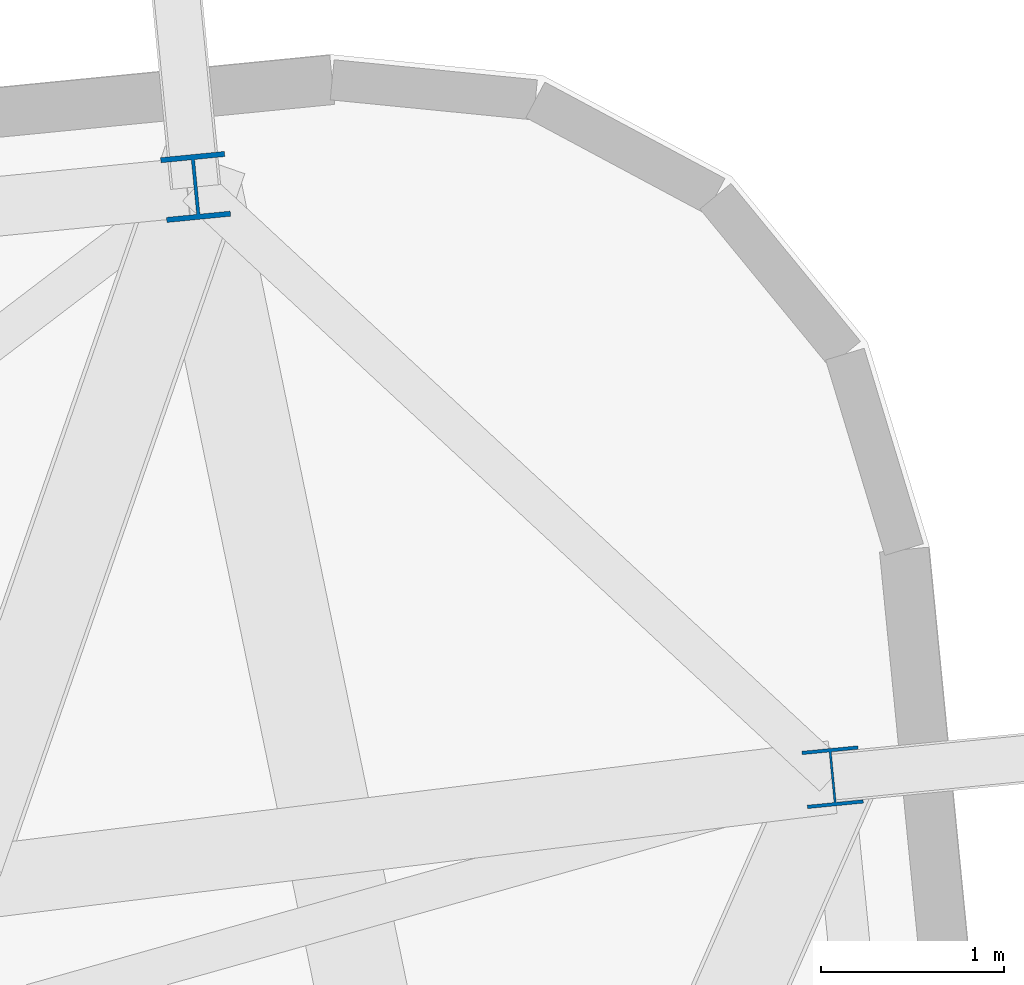
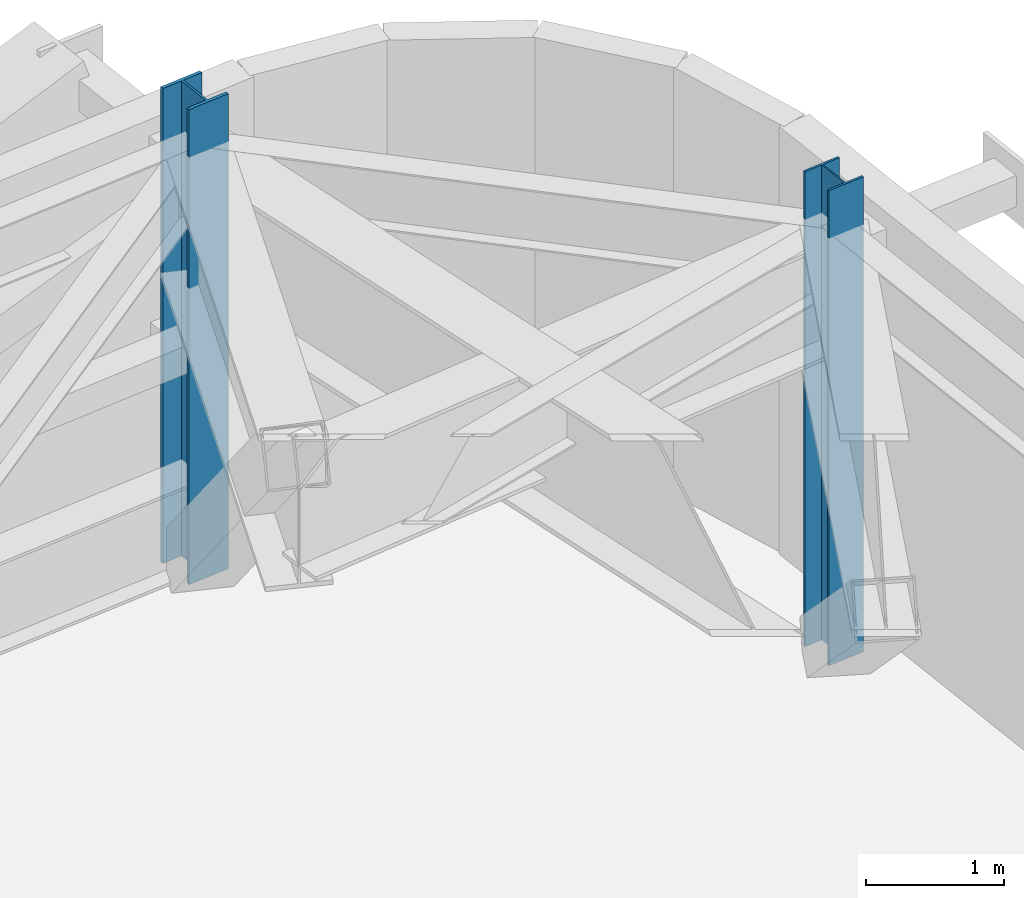
# One storey, part 4 of 24: 2 columns.
"""IFC4 building model written with IfcOpenShell, lengths in metres."""

from ifc_helpers import new_model, si_unit, direction, frame, origin, origin_2d, place, context, subcontext, project, spatial, i_section, extrude, source, transform, mapped, material, material_profile, profile_set, type_object, element, save


model = new_model("IFC4")

# Units and contexts
model_context = context("Model", 3, precision=1e-05, world=origin(), true_north=direction((0.0, 1.0)))
body_context = subcontext(model_context, "Body", "Model", "MODEL_VIEW")
ifc_project = project(units=[si_unit("LENGTHUNIT", "METRE"), si_unit("AREAUNIT", "SQUARE_METRE"), si_unit("VOLUMEUNIT", "CUBIC_METRE"), si_unit("PLANEANGLEUNIT", "RADIAN"), si_unit("MASSUNIT", "GRAM", prefix="KILO")], contexts=[model_context])

# Site, building, storey
site_placement = place(None, origin())
site = spatial("IfcSite", under=ifc_project, at=site_placement, CompositionType="ELEMENT")
building_placement = place(site_placement, origin())
building = spatial("IfcBuilding", under=site, at=building_placement, Name="Taldren Reach Tower", CompositionType="ELEMENT")
storey_placement = place(building_placement, frame((0.0, 0.0, 112.35009765625)))
storey = spatial("IfcBuildingStorey", under=building, at=storey_placement, Name="L34", CompositionType="ELEMENT", Elevation=112.35009765625)

# Columns
ifc_material = material(Name="Steel Gr 350 (350PLUS)", Category="steel")
ifc_material_profile_1 = material_profile(ifc_material, i_section(OverallWidth=0.35009765625, OverallDepth=0.35595703125, WebThickness=0.01806640625, FlangeThickness=0.028076171875, at=origin_2d()), Name="350WC197")
ifc_profile_set_1 = profile_set([ifc_material_profile_1], Name="Steel Gr 350 (350PLUS)")
column_type_1 = type_object("IfcColumnType", Name="COL-WC350", PredefinedType="COLUMN", material=ifc_profile_set_1)
shared_shape_1 = source(origin(), body_context, "Body", "SweptSolid", [
    extrude(i_section(OverallWidth=0.35009765625, OverallDepth=0.35595703125, WebThickness=0.01806640625, FlangeThickness=0.028076171875, at=origin_2d()), origin(), (0.0, 0.0, 1.0), 4.199951171875),
])
column_1_placement = place(storey_placement, frame((59.765869140625, 38.679931640625, 0.0), z_axis=(0.0, 0.0, 1.0), x_axis=(0.995227399982, 0.097582899759, 0.0)))
element("IfcColumn", 1, at=column_1_placement, inside=storey, type_object=column_type_1, Name="Block B2 perimeter column N6 L34", PredefinedType="COLUMN", context=body_context, shape_type="MappedRepresentation", body=[
    mapped(shared_shape_1, transform((0.0, 0.0, 0.0), scale=1.0)),
])
ifc_material_profile_2 = material_profile(ifc_material, i_section(OverallWidth=0.306884765625, OverallDepth=0.31494140625, WebThickness=0.011962890625, FlangeThickness=0.018798828125, at=origin_2d()), Name="310UC118")
ifc_profile_set_2 = profile_set([ifc_material_profile_2], Name="Steel Gr 350 (350PLUS)")
column_type_2 = type_object("IfcColumnType", Name="COL-UC310B", PredefinedType="COLUMN", material=ifc_profile_set_2)
shared_shape_2 = source(origin(), body_context, "Body", "SweptSolid", [
    extrude(i_section(OverallWidth=0.306884765625, OverallDepth=0.31494140625, WebThickness=0.011962890625, FlangeThickness=0.018798828125, at=origin_2d()), origin(), (0.0, 0.0, 1.0), 4.199951171875),
])
column_2_placement = place(storey_placement, frame((63.247314453125, 35.454345703125, 0.0), z_axis=(0.0, 0.0, 1.0), x_axis=(0.995227399982, 0.097582899759, 0.0)))
element("IfcColumn", 2, at=column_2_placement, inside=storey, type_object=column_type_2, Name="Block B2 perimeter column E3 L34", PredefinedType="COLUMN", context=body_context, shape_type="MappedRepresentation", body=[
    mapped(shared_shape_2, transform((0.0, 0.0, 0.0), scale=1.0)),
])

save(model, "model.ifc")
